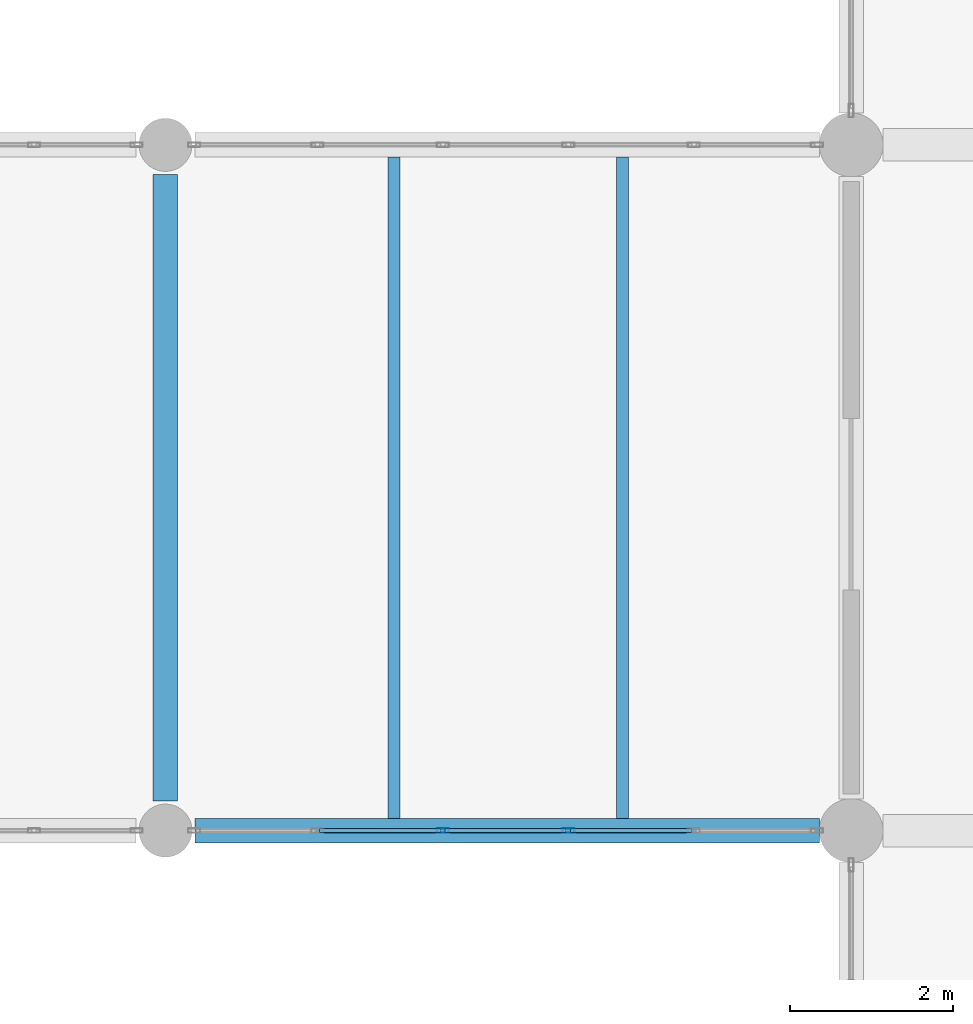
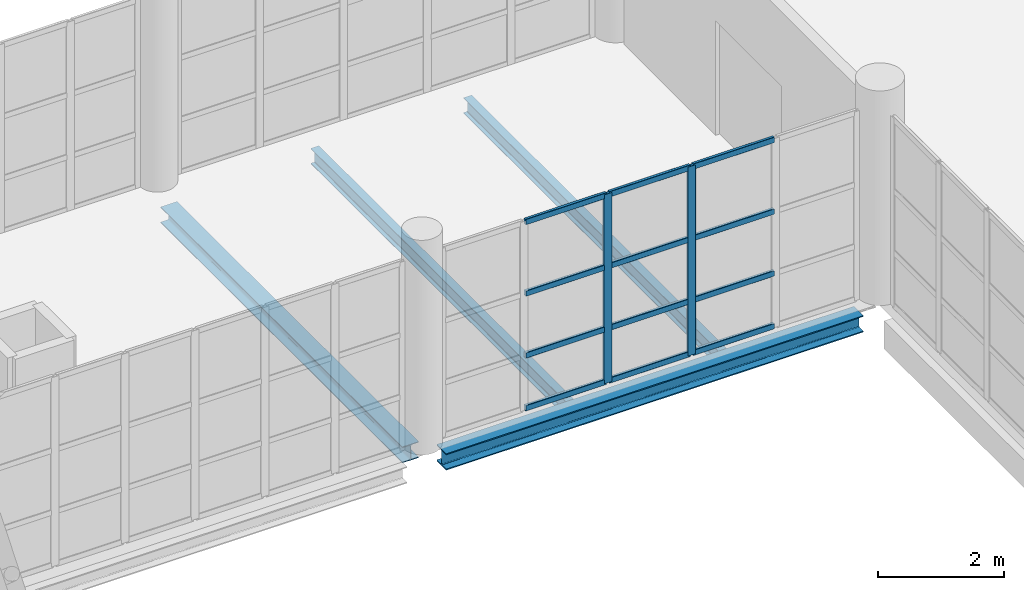
# One storey, part 65 of 177: 14 members, 4 beams, 1 element without a shape of its own.
"""IFC4 building model written with IfcOpenShell, lengths in metres."""

from ifc_helpers import new_model, si_unit, direction, frame, origin, origin_2d, place, context, subcontext, project, spatial, hollow_rectangle, i_section, extrude, material, layer, layer_set, material_profile, profile_set, type_object, element, aggregate, save


model = new_model("IFC4")

# Units and contexts
model_context = context("Model", 3, precision=1e-05, world=origin(), true_north=direction((0.0, 1.0)))
body_context = subcontext(model_context, "Body", "Model", "MODEL_VIEW")
ifc_project = project(units=[si_unit("LENGTHUNIT", "METRE"), si_unit("AREAUNIT", "SQUARE_METRE"), si_unit("VOLUMEUNIT", "CUBIC_METRE"), si_unit("PLANEANGLEUNIT", "RADIAN"), si_unit("MASSUNIT", "GRAM", prefix="KILO"), si_unit("THERMODYNAMICTEMPERATUREUNIT", "KELVIN"), si_unit("POWERUNIT", "WATT")], contexts=[model_context])

# Site, building, storey
site_placement = place(None, origin())
site = spatial("IfcSite", under=ifc_project, at=site_placement, CompositionType="ELEMENT")
building_placement = place(site_placement, origin())
building = spatial("IfcBuilding", under=site, at=building_placement, Name="Mavoryth Pier Ferry Terminal", CompositionType="ELEMENT")
storey_placement = place(building_placement, frame((0.0, 0.0, 5.43994140625)))
storey = spatial("IfcBuildingStorey", under=building, at=storey_placement, Name="L01", CompositionType="ELEMENT", Elevation=5.43994140625)

# Beams
ifc_material_1 = material(Name="Steel S355J2", Category="steel")
ifc_material_profile_1 = material_profile(ifc_material_1, i_section(OverallWidth=0.300048828125, OverallDepth=0.31005859375, WebThickness=0.009033203125, FlangeThickness=0.015380859375, FilletRadius=0.027099609375, at=origin_2d()), Name="HEA 320", Category="steel")
ifc_profile_set_1 = profile_set([ifc_material_profile_1], Name="Steel S355J2 - HEA 320")
beam_type_1 = type_object("IfcBeamType", Name="Beam-Steel-HEA320", PredefinedType="BEAM", material=ifc_profile_set_1)
beam_1_placement = place(storey_placement, frame((42.0, 89.56005859375, -0.39501953125), z_axis=(0.0, 1.0, 0.0), x_axis=(-1.0, 0.0, 0.0)))
element("IfcBeam", 1, at=beam_1_placement, inside=storey, type_object=beam_type_1, Name="Beam B01-SB06-0153", PredefinedType="BEAM", context=body_context, shape_type="SweptSolid", body=[
    extrude(i_section(OverallWidth=0.300048828125, OverallDepth=0.31005859375, WebThickness=0.009033203125, FlangeThickness=0.015380859375, FilletRadius=0.027099609375, at=origin_2d()), origin(), (0.0, 0.0, 1.0), 7.679931640625),
])
ifc_material_profile_2 = material_profile(ifc_material_1, i_section(OverallWidth=0.14990234375, OverallDepth=0.300048828125, WebThickness=0.007080078125, FlangeThickness=0.0107421875, FilletRadius=0.014892578125, at=origin_2d()), Name="IPE 300", Category="steel")
ifc_profile_set_2 = profile_set([ifc_material_profile_2], Name="Steel S355J2 - IPE 300")
beam_type_2 = type_object("IfcBeamType", Name="Joist-Steel-IPE300", PredefinedType="JOIST", material=ifc_profile_set_2)
for number, where, z_axis, x_axis, name in (
    (2, (44.800048828125, 89.35009765625, -0.389892578125), (0.0, 1.0, 0.0), (-1.0, 0.0, 0.0), "Beam B01-SJ04-0157"),
    (3, (47.60009765625, 89.35009765625, -0.389892578125), (0.0, 1.0, 0.0), (-1.0, 0.0, 0.0), "Beam B01-SJ04-0158"),
):
    element("IfcBeam", number, at=place(storey_placement, frame(where, z_axis=z_axis, x_axis=x_axis)), inside=storey, type_object=beam_type_2, Name=name, PredefinedType="JOIST", context=body_context, shape_type="SweptSolid", body=[
        extrude(i_section(OverallWidth=0.14990234375, OverallDepth=0.300048828125, WebThickness=0.007080078125, FlangeThickness=0.0107421875, FilletRadius=0.014892578125, at=origin_2d()), origin(), (0.0, 0.0, 1.0), 8.099853515625),
    ])

# Curtain wall, members
ifc_material_2 = material(Name="Anodised Aluminium and Solar-Control Low-E Glass", Category="aluminium")
ifc_layer = layer(ifc_material_2, 0.1201171875, Name="Anodised Aluminium and Solar-Control Low-E Glass", Category="aluminium")
ifc_layer_set = layer_set([ifc_layer], Name="Anodised Aluminium and Solar-Control Low-E Glass - CW-BridgeLink-Mod1400")
curtain_wall_type = type_object("IfcCurtainWallType", Name="CW-BridgeLink-Mod1400", PredefinedType="USERDEFINED", material=ifc_layer_set)
curtain_wall_placement = place(storey_placement, origin())
curtain_wall = element("IfcCurtainWall", 4, at=curtain_wall_placement, inside=storey, type_object=curtain_wall_type, Name="Curtain Wall CW-0111-100", ObjectType="UNITISED CURTAIN WALL", PredefinedType="USERDEFINED")
ifc_material_3 = material(Name="Anodised Aluminium EN AW-6063", Category="aluminium")
ifc_material_profile_3 = material_profile(ifc_material_3, hollow_rectangle(XDim=0.054931640625, YDim=0.14990234375, WallThickness=0.00390625, InnerFilletRadius=0.00390625, OuterFilletRadius=0.008056640625, at=origin_2d()), Name="AL-MULL 150x55x4", Category="aluminium")
ifc_profile_set_3 = profile_set([ifc_material_profile_3], Name="Anodised Aluminium EN AW-6063 - AL-MULL 150x55x4")
member_type_1 = type_object("IfcMemberType", Name="Mullion-Alum-150x55", PredefinedType="MULLION", material=ifc_profile_set_3)
member_1_placement = place(storey_placement, frame((45.39892578125, 89.199951171875, 0.0), z_axis=(0.0, 0.0, 1.0), x_axis=(0.0, 1.0, 0.0)))
member_1 = element("IfcMember", 5, at=member_1_placement, type_object=member_type_1, Name="CW08 mullion 3", PredefinedType="MULLION", context=body_context, shape_type="SweptSolid", body=[
    extrude(hollow_rectangle(XDim=0.054931640625, YDim=0.14990234375, WallThickness=0.00390625, InnerFilletRadius=0.00390625, OuterFilletRadius=0.008056640625, at=origin_2d()), origin(), (0.0, 0.0, 1.0), 3.6650390625),
])
member_2_placement = place(storey_placement, frame((46.93603515625, 89.199951171875, 0.0), z_axis=(0.0, 0.0, 1.0), x_axis=(0.0, 1.0, 0.0)))
member_2 = element("IfcMember", 6, at=member_2_placement, type_object=member_type_1, Name="CW08 mullion 4", PredefinedType="MULLION", context=body_context, shape_type="SweptSolid", body=[
    extrude(hollow_rectangle(XDim=0.054931640625, YDim=0.14990234375, WallThickness=0.00390625, InnerFilletRadius=0.00390625, OuterFilletRadius=0.008056640625, at=origin_2d()), origin(), (0.0, 0.0, 1.0), 3.6650390625),
])

# Beam
ifc_material_profile_4 = material_profile(ifc_material_1, i_section(OverallWidth=0.300048828125, OverallDepth=0.320068359375, WebThickness=0.011474609375, FlangeThickness=0.0205078125, FilletRadius=0.027099609375, at=origin_2d()), Name="HEB 320", Category="steel")
ifc_profile_set_4 = profile_set([ifc_material_profile_4], Name="Steel S355J2 - HEB 320")
beam_type_3 = type_object("IfcBeamType", Name="Spandrel-Steel-HEB320", PredefinedType="SPANDREL", material=ifc_profile_set_4)
beam_2_placement = place(storey_placement, frame((42.360107421875, 89.199951171875, -0.39990234375), z_axis=(1.0, 0.0, 0.0), x_axis=(0.0, 1.0, 0.0)))
element("IfcBeam", 7, at=beam_2_placement, inside=storey, type_object=beam_type_3, Name="Beam B01-SP04-0150", PredefinedType="SPANDREL", context=body_context, shape_type="SweptSolid", body=[
    extrude(i_section(OverallWidth=0.300048828125, OverallDepth=0.320068359375, WebThickness=0.011474609375, FlangeThickness=0.0205078125, FilletRadius=0.027099609375, at=origin_2d()), origin(), (0.0, 0.0, 1.0), 7.64990234375),
])

# Member
ifc_material_profile_5 = material_profile(ifc_material_3, hollow_rectangle(XDim=0.054931640625, YDim=0.110107421875, WallThickness=0.00390625, InnerFilletRadius=0.00390625, OuterFilletRadius=0.008056640625, at=origin_2d()), Name="AL-TRAN 110x55x4", Category="aluminium")
ifc_profile_set_5 = profile_set([ifc_material_profile_5], Name="Anodised Aluminium EN AW-6063 - AL-TRAN 110x55x4")
member_type_2 = type_object("IfcMemberType", Name="Transom-Alum-110x55", PredefinedType="USERDEFINED", material=ifc_profile_set_5)
member_3_placement = place(storey_placement, frame((43.889404296875, 89.199951171875, 0.027587890625), z_axis=(1.0, 0.0, 0.0), x_axis=(0.0, 1.0, 0.0)))
member_3 = element("IfcMember", 8, at=member_3_placement, type_object=member_type_2, Name="CW08 transom 2.1", ObjectType="TRANSOM", PredefinedType="USERDEFINED", context=body_context, shape_type="SweptSolid", body=[
    extrude(hollow_rectangle(XDim=0.054931640625, YDim=0.110107421875, WallThickness=0.00390625, InnerFilletRadius=0.00390625, OuterFilletRadius=0.008056640625, at=origin_2d()), origin(), (0.0, 0.0, 1.0), 1.482177734375),
])

member_4_placement = place(storey_placement, frame((43.889404296875, 89.199951171875, 1.050048828125), z_axis=(1.0, 0.0, 0.0), x_axis=(0.0, 1.0, 0.0)))
member_4 = element("IfcMember", 9, at=member_4_placement, type_object=member_type_2, Name="CW08 transom 2.2", ObjectType="TRANSOM", PredefinedType="USERDEFINED", context=body_context, shape_type="SweptSolid", body=[
    extrude(hollow_rectangle(XDim=0.054931640625, YDim=0.110107421875, WallThickness=0.00390625, InnerFilletRadius=0.00390625, OuterFilletRadius=0.008056640625, at=origin_2d()), origin(), (0.0, 0.0, 1.0), 1.482177734375),
])

member_5_placement = place(storey_placement, frame((43.889404296875, 89.199951171875, 2.25), z_axis=(1.0, 0.0, 0.0), x_axis=(0.0, 1.0, 0.0)))
member_5 = element("IfcMember", 10, at=member_5_placement, type_object=member_type_2, Name="CW08 transom 2.3", ObjectType="TRANSOM", PredefinedType="USERDEFINED", context=body_context, shape_type="SweptSolid", body=[
    extrude(hollow_rectangle(XDim=0.054931640625, YDim=0.110107421875, WallThickness=0.00390625, InnerFilletRadius=0.00390625, OuterFilletRadius=0.008056640625, at=origin_2d()), origin(), (0.0, 0.0, 1.0), 1.482177734375),
])

member_6_placement = place(storey_placement, frame((43.889404296875, 89.199951171875, 3.637451171875), z_axis=(1.0, 0.0, 0.0), x_axis=(0.0, 1.0, 0.0)))
member_6 = element("IfcMember", 11, at=member_6_placement, type_object=member_type_2, Name="CW08 transom 2.4", ObjectType="TRANSOM", PredefinedType="USERDEFINED", context=body_context, shape_type="SweptSolid", body=[
    extrude(hollow_rectangle(XDim=0.054931640625, YDim=0.110107421875, WallThickness=0.00390625, InnerFilletRadius=0.00390625, OuterFilletRadius=0.008056640625, at=origin_2d()), origin(), (0.0, 0.0, 1.0), 1.482177734375),
])

member_7_placement = place(storey_placement, frame((45.426513671875, 89.199951171875, 0.027587890625), z_axis=(1.0, 0.0, 0.0), x_axis=(0.0, 1.0, 0.0)))
member_7 = element("IfcMember", 12, at=member_7_placement, type_object=member_type_2, Name="CW08 transom 3.1", ObjectType="TRANSOM", PredefinedType="USERDEFINED", context=body_context, shape_type="SweptSolid", body=[
    extrude(hollow_rectangle(XDim=0.054931640625, YDim=0.110107421875, WallThickness=0.00390625, InnerFilletRadius=0.00390625, OuterFilletRadius=0.008056640625, at=origin_2d()), origin(), (0.0, 0.0, 1.0), 1.48193359375),
])

member_8_placement = place(storey_placement, frame((45.426513671875, 89.199951171875, 1.050048828125), z_axis=(1.0, 0.0, 0.0), x_axis=(0.0, 1.0, 0.0)))
member_8 = element("IfcMember", 13, at=member_8_placement, type_object=member_type_2, Name="CW08 transom 3.2", ObjectType="TRANSOM", PredefinedType="USERDEFINED", context=body_context, shape_type="SweptSolid", body=[
    extrude(hollow_rectangle(XDim=0.054931640625, YDim=0.110107421875, WallThickness=0.00390625, InnerFilletRadius=0.00390625, OuterFilletRadius=0.008056640625, at=origin_2d()), origin(), (0.0, 0.0, 1.0), 1.48193359375),
])

member_9_placement = place(storey_placement, frame((45.426513671875, 89.199951171875, 2.25), z_axis=(1.0, 0.0, 0.0), x_axis=(0.0, 1.0, 0.0)))
member_9 = element("IfcMember", 14, at=member_9_placement, type_object=member_type_2, Name="CW08 transom 3.3", ObjectType="TRANSOM", PredefinedType="USERDEFINED", context=body_context, shape_type="SweptSolid", body=[
    extrude(hollow_rectangle(XDim=0.054931640625, YDim=0.110107421875, WallThickness=0.00390625, InnerFilletRadius=0.00390625, OuterFilletRadius=0.008056640625, at=origin_2d()), origin(), (0.0, 0.0, 1.0), 1.48193359375),
])

member_10_placement = place(storey_placement, frame((45.426513671875, 89.199951171875, 3.637451171875), z_axis=(1.0, 0.0, 0.0), x_axis=(0.0, 1.0, 0.0)))
member_10 = element("IfcMember", 15, at=member_10_placement, type_object=member_type_2, Name="CW08 transom 3.4", ObjectType="TRANSOM", PredefinedType="USERDEFINED", context=body_context, shape_type="SweptSolid", body=[
    extrude(hollow_rectangle(XDim=0.054931640625, YDim=0.110107421875, WallThickness=0.00390625, InnerFilletRadius=0.00390625, OuterFilletRadius=0.008056640625, at=origin_2d()), origin(), (0.0, 0.0, 1.0), 1.48193359375),
])

member_11_placement = place(storey_placement, frame((46.96337890625, 89.199951171875, 0.027587890625), z_axis=(1.0, 0.0, 0.0), x_axis=(0.0, 1.0, 0.0)))
member_11 = element("IfcMember", 16, at=member_11_placement, type_object=member_type_2, Name="CW08 transom 4.1", ObjectType="TRANSOM", PredefinedType="USERDEFINED", context=body_context, shape_type="SweptSolid", body=[
    extrude(hollow_rectangle(XDim=0.054931640625, YDim=0.110107421875, WallThickness=0.00390625, InnerFilletRadius=0.00390625, OuterFilletRadius=0.008056640625, at=origin_2d()), origin(), (0.0, 0.0, 1.0), 1.482177734375),
])

member_12_placement = place(storey_placement, frame((46.96337890625, 89.199951171875, 1.050048828125), z_axis=(1.0, 0.0, 0.0), x_axis=(0.0, 1.0, 0.0)))
member_12 = element("IfcMember", 17, at=member_12_placement, type_object=member_type_2, Name="CW08 transom 4.2", ObjectType="TRANSOM", PredefinedType="USERDEFINED", context=body_context, shape_type="SweptSolid", body=[
    extrude(hollow_rectangle(XDim=0.054931640625, YDim=0.110107421875, WallThickness=0.00390625, InnerFilletRadius=0.00390625, OuterFilletRadius=0.008056640625, at=origin_2d()), origin(), (0.0, 0.0, 1.0), 1.482177734375),
])

member_13_placement = place(storey_placement, frame((46.96337890625, 89.199951171875, 2.25), z_axis=(1.0, 0.0, 0.0), x_axis=(0.0, 1.0, 0.0)))
member_13 = element("IfcMember", 18, at=member_13_placement, type_object=member_type_2, Name="CW08 transom 4.3", ObjectType="TRANSOM", PredefinedType="USERDEFINED", context=body_context, shape_type="SweptSolid", body=[
    extrude(hollow_rectangle(XDim=0.054931640625, YDim=0.110107421875, WallThickness=0.00390625, InnerFilletRadius=0.00390625, OuterFilletRadius=0.008056640625, at=origin_2d()), origin(), (0.0, 0.0, 1.0), 1.482177734375),
])

member_14_placement = place(storey_placement, frame((46.96337890625, 89.199951171875, 3.637451171875), z_axis=(1.0, 0.0, 0.0), x_axis=(0.0, 1.0, 0.0)))
member_14 = element("IfcMember", 19, at=member_14_placement, type_object=member_type_2, Name="CW08 transom 4.4", ObjectType="TRANSOM", PredefinedType="USERDEFINED", context=body_context, shape_type="SweptSolid", body=[
    extrude(hollow_rectangle(XDim=0.054931640625, YDim=0.110107421875, WallThickness=0.00390625, InnerFilletRadius=0.00390625, OuterFilletRadius=0.008056640625, at=origin_2d()), origin(), (0.0, 0.0, 1.0), 1.482177734375),
])

aggregate(curtain_wall, [member_1, member_2, member_3, member_4, member_5, member_6, member_7, member_8, member_9, member_10, member_11, member_12, member_13, member_14])

save(model, "model.ifc")
